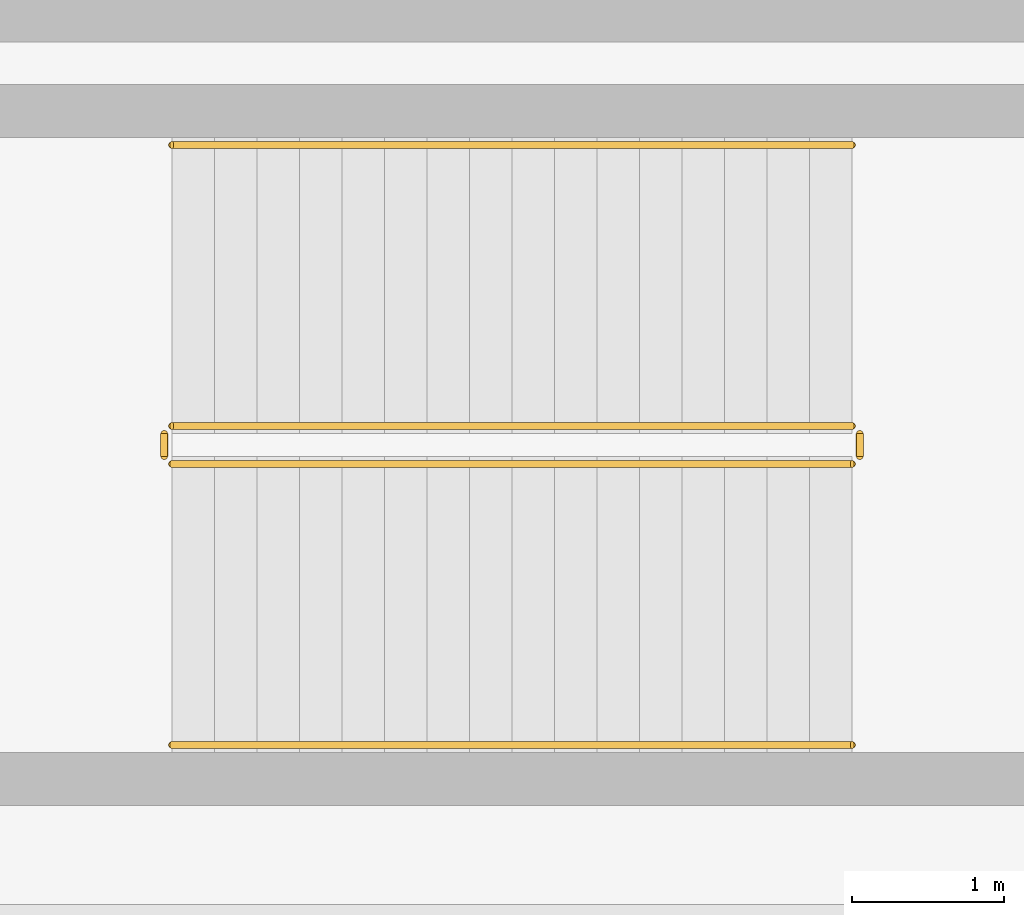
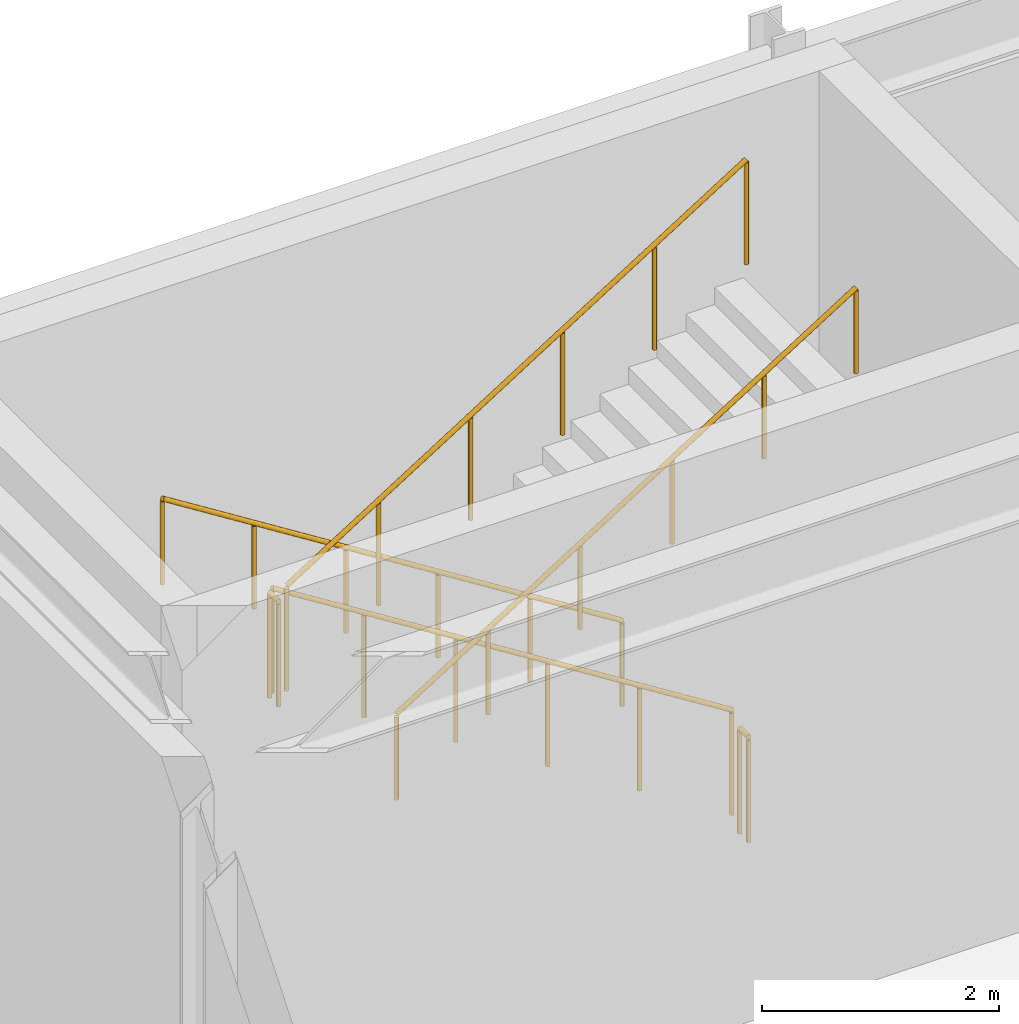
# One storey, part 137 of 146: 6 railings.
"""IFC4 building model written with IfcOpenShell, lengths in metres."""

from ifc_helpers import new_model, si_unit, direction, frame, origin, origin_2d, place, context, subcontext, project, spatial, circle, extrude, material, type_object, element, save


model = new_model("IFC4")

# Units and contexts
model_context = context("Model", 3, precision=1e-05, world=origin(), true_north=direction((0.0, 1.0)))
body_context = subcontext(model_context, "Body", "Model", "MODEL_VIEW")
ifc_project = project(units=[si_unit("LENGTHUNIT", "METRE"), si_unit("AREAUNIT", "SQUARE_METRE"), si_unit("VOLUMEUNIT", "CUBIC_METRE"), si_unit("PLANEANGLEUNIT", "RADIAN"), si_unit("MASSUNIT", "GRAM", prefix="KILO")], contexts=[model_context])

# Site, building, storey
site_placement = place(None, origin())
site = spatial("IfcSite", under=ifc_project, at=site_placement, CompositionType="ELEMENT")
building_placement = place(site_placement, origin())
building = spatial("IfcBuilding", under=site, at=building_placement, Name="Kaldris Quays Convention Centre", CompositionType="ELEMENT")
storey_placement = place(building_placement, origin())
storey = spatial("IfcBuildingStorey", under=building, at=storey_placement, Name="L00", CompositionType="ELEMENT", Elevation=0.0)

# Railings
ifc_material_1 = material(Name="Steel S355J2", Category="steel")
railing_type_1 = type_object("IfcRailingType", Name="INTERIOR GUARDRAIL GR01", PredefinedType="GUARDRAIL", material=ifc_material_1)
railing_1_placement = place(storey_placement, frame((27.0, 137.300048828125, 0.176513671875)))
element("IfcRailing", 1, at=railing_1_placement, inside=storey, type_object=railing_type_1, Name="L00 ST03 Stair Guardrail 1", PredefinedType="GUARDRAIL", context=body_context, shape_type="SweptSolid", body=[
    extrude(circle(Radius=0.02392578125, at=origin_2d()), frame((0.0, 0.0, 1.076171875), z_axis=(-0.845997938375, 0.0, 0.533186166611), x_axis=(0.0, -1.0, 0.0)), (0.0, 0.0, 1.0), 5.29541015625),
    extrude(circle(Radius=0.02099609375, at=origin_2d()), origin(), (0.0, 0.0, 1.0), 1.052001953125),
    extrude(circle(Radius=0.02099609375, at=origin_2d()), frame((-0.89599609375, 0.0, 0.564697265625)), (0.0, 0.0, 1.0), 1.052001953125),
    extrude(circle(Radius=0.02099609375, at=origin_2d()), frame((-1.7919921875, 0.0, 1.12939453125)), (0.0, 0.0, 1.0), 1.052001953125),
    extrude(circle(Radius=0.02099609375, at=origin_2d()), frame((-2.68798828125, 0.0, 1.694091796875)), (0.0, 0.0, 1.0), 1.052001953125),
    extrude(circle(Radius=0.02099609375, at=origin_2d()), frame((-3.583984375, 0.0, 2.2587890625)), (0.0, 0.0, 1.0), 1.052001953125),
    extrude(circle(Radius=0.02099609375, at=origin_2d()), frame((-4.47998046875, 0.0, 2.823486328125)), (0.0, 0.0, 1.0), 1.052001953125),
])
railing_2_placement = place(storey_placement, frame((22.469970703125, 137.25, 3.0)))
element("IfcRailing", 2, at=railing_2_placement, inside=storey, type_object=railing_type_1, Name="L00 ST03 Stair Guardrail 2", PredefinedType="GUARDRAIL", context=body_context, shape_type="SweptSolid", body=[
    extrude(circle(Radius=0.02392578125, at=origin_2d()), frame((0.0, 0.0, 1.076171875), z_axis=(0.0, -1.0, 0.0), x_axis=(1.0, 0.0, 0.0)), (0.0, 0.0, 1.0), 0.14990234375),
    extrude(circle(Radius=0.02099609375, at=origin_2d()), origin(), (0.0, 0.0, 1.0), 1.052001953125),
    extrude(circle(Radius=0.02099609375, at=origin_2d()), frame((0.0, -0.14990234375, 0.0)), (0.0, 0.0, 1.0), 1.052001953125),
])
railing_3_placement = place(storey_placement, frame((22.52001953125, 137.050048828125, 3.176513671875)))
element("IfcRailing", 3, at=railing_3_placement, inside=storey, type_object=railing_type_1, Name="L00 ST03 Stair Guardrail 3", PredefinedType="GUARDRAIL", context=body_context, shape_type="SweptSolid", body=[
    extrude(circle(Radius=0.02392578125, at=origin_2d()), frame((0.0, 0.0, 1.076171875), z_axis=(0.845997938375, 0.0, 0.533186166611), x_axis=(0.0, 1.0, 0.0)), (0.0, 0.0, 1.0), 5.29541015625),
    extrude(circle(Radius=0.02099609375, at=origin_2d()), origin(), (0.0, 0.0, 1.0), 1.052001953125),
    extrude(circle(Radius=0.02099609375, at=origin_2d()), frame((0.89599609375, 0.0, 0.564697265625)), (0.0, 0.0, 1.0), 1.052001953125),
    extrude(circle(Radius=0.02099609375, at=origin_2d()), frame((1.7919921875, 0.0, 1.12939453125)), (0.0, 0.0, 1.0), 1.052001953125),
    extrude(circle(Radius=0.02099609375, at=origin_2d()), frame((2.68798828125, 0.0, 1.694091796875)), (0.0, 0.0, 1.0), 1.052001953125),
    extrude(circle(Radius=0.02099609375, at=origin_2d()), frame((3.583984375, 0.0, 2.2587890625)), (0.0, 0.0, 1.0), 1.052001953125),
    extrude(circle(Radius=0.02099609375, at=origin_2d()), frame((4.47998046875, 0.0, 2.823486328125)), (0.0, 0.0, 1.0), 1.052001953125),
])
railing_4_placement = place(storey_placement, frame((27.050048828125, 137.25, 0.0)))
element("IfcRailing", 4, at=railing_4_placement, inside=storey, type_object=railing_type_1, Name="L00 ST03 Stair Guardrail 4", PredefinedType="GUARDRAIL", context=body_context, shape_type="SweptSolid", body=[
    extrude(circle(Radius=0.02392578125, at=origin_2d()), frame((0.0, 0.0, 1.076171875), z_axis=(0.0, -1.0, 0.0), x_axis=(1.0, 0.0, 0.0)), (0.0, 0.0, 1.0), 0.14990234375),
    extrude(circle(Radius=0.02099609375, at=origin_2d()), origin(), (0.0, 0.0, 1.0), 1.052001953125),
    extrude(circle(Radius=0.02099609375, at=origin_2d()), frame((0.0, -0.14990234375, 0.0)), (0.0, 0.0, 1.0), 1.052001953125),
])
ifc_material_2 = material(Name="Stainless steel 1.4301", Category="steel")
railing_type_2 = type_object("IfcRailingType", Name="STAIR HANDRAIL HR01", PredefinedType="HANDRAIL", material=ifc_material_2)
railing_5_placement = place(storey_placement, frame((27.0, 139.14990234375, 0.176513671875)))
element("IfcRailing", 5, at=railing_5_placement, inside=storey, type_object=railing_type_2, Name="L00 ST03 Flight Handrail 1", PredefinedType="HANDRAIL", context=body_context, shape_type="SweptSolid", body=[
    extrude(circle(Radius=0.02392578125, at=origin_2d()), frame((0.0, 0.0, 0.8759765625), z_axis=(-0.845997938375, 0.0, 0.533186166611), x_axis=(0.0, -1.0, 0.0)), (0.0, 0.0, 1.0), 5.29541015625),
    extrude(circle(Radius=0.02099609375, at=origin_2d()), origin(), (0.0, 0.0, 1.0), 0.851806640625),
    extrude(circle(Radius=0.02099609375, at=origin_2d()), frame((-0.89599609375, 0.0, 0.564697265625)), (0.0, 0.0, 1.0), 0.851806640625),
    extrude(circle(Radius=0.02099609375, at=origin_2d()), frame((-1.7919921875, 0.0, 1.12939453125)), (0.0, 0.0, 1.0), 0.851806640625),
    extrude(circle(Radius=0.02099609375, at=origin_2d()), frame((-2.68798828125, 0.0, 1.694091796875)), (0.0, 0.0, 1.0), 0.851806640625),
    extrude(circle(Radius=0.02099609375, at=origin_2d()), frame((-3.583984375, 0.0, 2.2587890625)), (0.0, 0.0, 1.0), 0.851806640625),
    extrude(circle(Radius=0.02099609375, at=origin_2d()), frame((-4.47998046875, 0.0, 2.823486328125)), (0.0, 0.0, 1.0), 0.851806640625),
])
railing_6_placement = place(storey_placement, frame((22.52001953125, 135.199951171875, 3.176513671875)))
element("IfcRailing", 6, at=railing_6_placement, inside=storey, type_object=railing_type_2, Name="L00 ST03 Flight Handrail 2", PredefinedType="HANDRAIL", context=body_context, shape_type="SweptSolid", body=[
    extrude(circle(Radius=0.02392578125, at=origin_2d()), frame((0.0, 0.0, 0.8759765625), z_axis=(0.845997938375, 0.0, 0.533186166611), x_axis=(0.0, 1.0, 0.0)), (0.0, 0.0, 1.0), 5.29541015625),
    extrude(circle(Radius=0.02099609375, at=origin_2d()), origin(), (0.0, 0.0, 1.0), 0.851806640625),
    extrude(circle(Radius=0.02099609375, at=origin_2d()), frame((0.89599609375, 0.0, 0.564697265625)), (0.0, 0.0, 1.0), 0.851806640625),
    extrude(circle(Radius=0.02099609375, at=origin_2d()), frame((1.7919921875, 0.0, 1.12939453125)), (0.0, 0.0, 1.0), 0.851806640625),
    extrude(circle(Radius=0.02099609375, at=origin_2d()), frame((2.68798828125, 0.0, 1.694091796875)), (0.0, 0.0, 1.0), 0.851806640625),
    extrude(circle(Radius=0.02099609375, at=origin_2d()), frame((3.583984375, 0.0, 2.2587890625)), (0.0, 0.0, 1.0), 0.851806640625),
    extrude(circle(Radius=0.02099609375, at=origin_2d()), frame((4.47998046875, 0.0, 2.823486328125)), (0.0, 0.0, 1.0), 0.851806640625),
])

save(model, "model.ifc")
